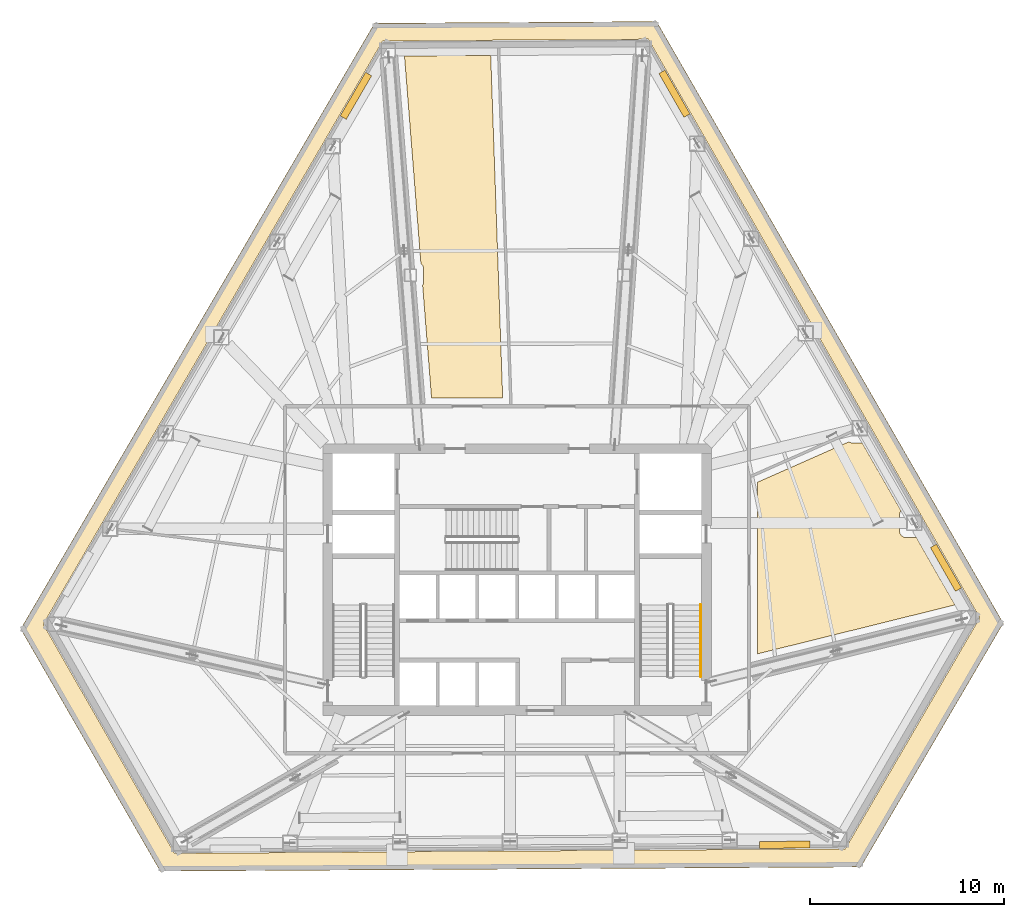
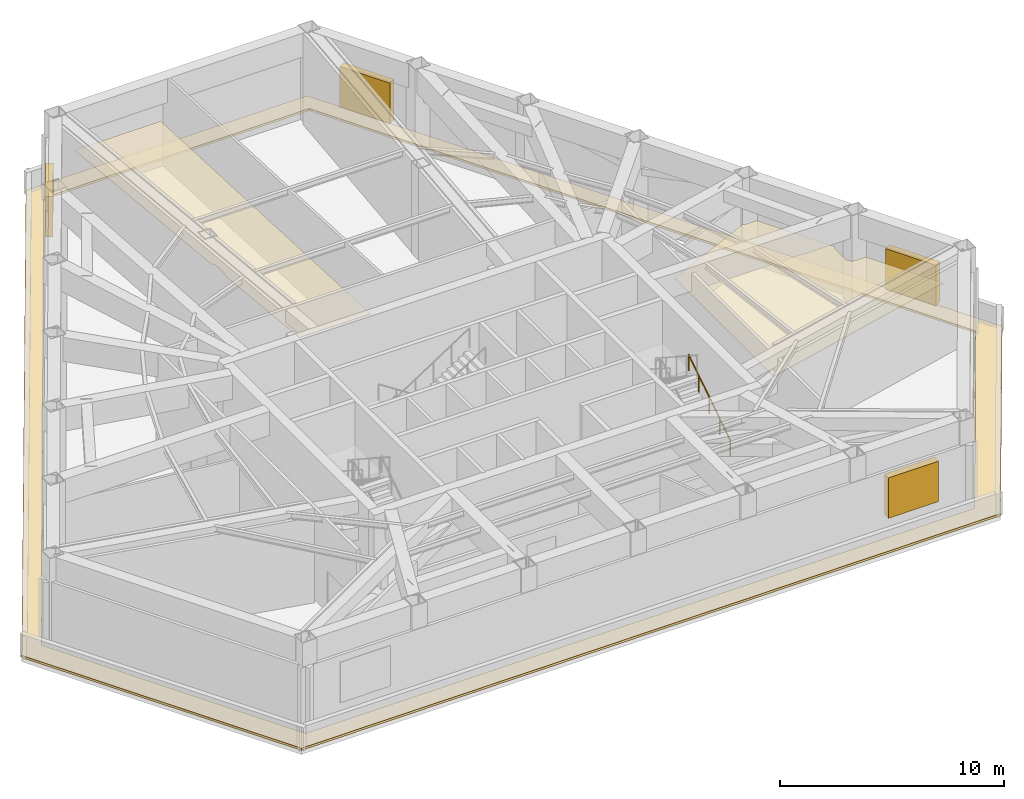
# One storey, part 12 of 12: 4 shading devices, 3 coverings, 1 railing.
"""IFC4 building model written with IfcOpenShell, lengths in metres."""

from ifc_helpers import new_model, si_unit, direction, frame, origin, origin_2d, place, context, subcontext, project, spatial, polyline, rectangle, circle, outline, extrude, material, layer, layer_set, type_object, element, save


model = new_model("IFC4")

# Units and contexts
model_context = context("Model", 3, precision=1e-05, world=origin(), true_north=direction((0.0, 1.0)))
body_context = subcontext(model_context, "Body", "Model", "MODEL_VIEW")
ifc_project = project(units=[si_unit("LENGTHUNIT", "METRE"), si_unit("AREAUNIT", "SQUARE_METRE"), si_unit("VOLUMEUNIT", "CUBIC_METRE"), si_unit("PLANEANGLEUNIT", "RADIAN"), si_unit("MASSUNIT", "GRAM", prefix="KILO")], contexts=[model_context])

# Site, building, storey
site_placement = place(None, origin())
site = spatial("IfcSite", under=ifc_project, at=site_placement, CompositionType="ELEMENT")
building_placement = place(site_placement, origin())
building = spatial("IfcBuilding", under=site, at=building_placement, Name="Kavelnor Concourse Tower", CompositionType="ELEMENT")
storey_placement = place(building_placement, frame((0.0, 0.0, 75.300048828125)))
storey = spatial("IfcBuildingStorey", under=building, at=storey_placement, Name="L19", CompositionType="ELEMENT", Elevation=75.300048828125)

# Coverings
ifc_material_1 = material(Name="Mineral fibre acoustic ceiling tile")
ifc_layer_1 = layer(ifc_material_1, 0.0400390625, Name="Mineral fibre acoustic ceiling tile")
ifc_layer_set_1 = layer_set([ifc_layer_1], Name="Mineral fibre acoustic ceiling tile")
covering_type_1 = type_object("IfcCoveringType", Name="COV-CEILING-ACOUSTIC", PredefinedType="CEILING", material=ifc_layer_set_1)
covering_1_placement = place(storey_placement, frame((0.0, 0.0, 2.75)))
element("IfcCovering", 1, at=covering_1_placement, inside=storey, type_object=covering_type_1, Name="L19 Suspended Acoustic Ceiling", PredefinedType="CEILING", context=body_context, shape_type="SweptSolid", body=[
    extrude(outline(polyline([(55.116943359375, 23.1982421875), (55.14892578125, 23.18310546875), (55.18212890625, 23.17138671875), (55.216552734375, 23.16259765625), (55.25146484375, 23.157470703125), (55.278564453125, 23.15625), (55.79931640625, 23.15625), (57.806884765625, 19.651123046875), (57.7880859375, 19.6259765625), (57.77001953125, 19.595703125), (57.7548828125, 19.563720703125), (57.742919921875, 19.5302734375), (57.734375, 19.49609375), (57.72900390625, 19.4609375), (57.727783203125, 19.43408203125), (57.727783203125, 18.617431640625), (57.72900390625, 18.59033203125), (57.734375, 18.555419921875), (57.742919921875, 18.52099609375), (57.7548828125, 18.48779296875), (57.77001953125, 18.455810546875), (57.7880859375, 18.425537109375), (57.80908203125, 18.397216796875), (57.8330078125, 18.370849609375), (57.859130859375, 18.34716796875), (57.8876953125, 18.325927734375), (57.91796875, 18.307861328125), (57.949951171875, 18.292724609375), (57.983154296875, 18.28076171875), (58.017578125, 18.272216796875), (58.052490234375, 18.26708984375), (58.07958984375, 18.265625), (58.600341796875, 18.265625), (60.58642578125, 14.798095703125), (50.402587890625, 12.272705078125), (50.402587890625, 21.127197265625), (55.10498046875, 23.205322265625), (55.116943359375, 23.1982421875)])), origin(), (0.0, 0.0, 1.0), 0.0400390625),
])
covering_2_placement = place(storey_placement, frame((0.0, 0.0, 2.75)))
element("IfcCovering", 2, at=covering_2_placement, inside=storey, type_object=covering_type_1, Name="L19 Suspended Acoustic Ceiling", PredefinedType="CEILING", context=body_context, shape_type="SweptSolid", body=[
    extrude(outline(polyline([(36.640380859375, 43.144287109375), (37.257080078125, 25.482421875), (33.5869140625, 25.482421875), (33.127197265625, 31.29248046875), (33.137939453125, 31.31005859375), (33.153076171875, 31.342041015625), (33.164794921875, 31.37548828125), (33.173583984375, 31.40966796875), (33.1787109375, 31.444580078125), (33.179931640625, 31.4716796875), (33.179931640625, 32.12841796875), (33.1787109375, 32.1552734375), (33.173583984375, 32.190185546875), (33.164794921875, 32.224609375), (33.153076171875, 32.2578125), (33.137939453125, 32.289794921875), (33.11962890625, 32.3203125), (33.0986328125, 32.3486328125), (33.07470703125, 32.374755859375), (33.048583984375, 32.398681640625), (33.0390625, 32.40576171875), (32.191650390625, 43.11376953125), (36.640380859375, 43.144287109375)])), origin(), (0.0, 0.0, 1.0), 0.0400390625),
])
ifc_material_2 = material(Name="Elastomeric waterproofing membrane and rigid insulation")
ifc_layer_2 = layer(ifc_material_2, 0.1201171875, Name="Elastomeric waterproofing membrane and rigid insulation")
ifc_layer_set_2 = layer_set([ifc_layer_2], Name="Elastomeric waterproofing membrane and rigid insulation")
covering_type_2 = type_object("IfcCoveringType", Name="COV-ROOF-MEMBRANE", PredefinedType="ROOFING", material=ifc_layer_set_2)
covering_3_placement = place(storey_placement, origin())
element("IfcCovering", 3, at=covering_3_placement, inside=storey, type_object=covering_type_2, Name="L19 Setback Waterproofing Roof Membrane 1", PredefinedType="ROOFING", context=body_context, shape_type="SweptSolid", body=[
    extrude(outline(polyline([(63.083740234375, 13.85595703125), (55.73388671875, 1.2744140625), (19.592529296875, 1.05908203125), (12.392822265625, 13.5537109375), (30.650146484375, 44.805908203125), (45.19970703125, 44.892822265625), (63.083740234375, 13.85595703125)]), holes=[polyline([(31.06640625, 43.885986328125), (13.560546875, 13.802490234375), (20.331787109375, 1.98046875), (54.932373046875, 2.2177734375), (61.8662109375, 14.13330078125), (44.77099609375, 43.97998046875), (31.06640625, 43.885986328125)])]), origin(), (0.0, 0.0, 1.0), 0.119873046875),
])

# Railing
ifc_material_3 = material(Name="Steel Grade 350", Category="steel")
railing_type = type_object("IfcRailingType", Name="RLG-HANDRAIL-900", PredefinedType="HANDRAIL", material=ifc_material_3)
railing_placement = place(storey_placement, frame((47.469970703125, 11.10009765625, 0.185546875)))
element("IfcRailing", 4, at=railing_placement, inside=storey, type_object=railing_type, Name="L19 ST2 stair handrail 1", PredefinedType="HANDRAIL", context=body_context, shape_type="SweptSolid", body=[
    extrude(circle(Radius=0.02392578125, at=origin_2d()), frame((0.0, 0.0, 0.8759765625), z_axis=(0.0, 0.837806046772, 0.545967973412), x_axis=(-1.0, 0.0, 0.0)), (0.0, 0.0, 1.0), 4.422119140625),
    extrude(circle(Radius=0.02099609375, at=origin_2d()), origin(), (0.0, 0.0, 1.0), 0.851806640625),
    extrude(circle(Radius=0.02099609375, at=origin_2d()), frame((0.0, 0.92626953125, 0.603515625)), (0.0, 0.0, 1.0), 0.851806640625),
    extrude(circle(Radius=0.02099609375, at=origin_2d()), frame((0.0, 1.8525390625, 1.20703125)), (0.0, 0.0, 1.0), 0.851806640625),
    extrude(circle(Radius=0.02099609375, at=origin_2d()), frame((0.0, 2.778564453125, 1.810791015625)), (0.0, 0.0, 1.0), 0.851806640625),
    extrude(circle(Radius=0.02099609375, at=origin_2d()), frame((0.0, 3.704833984375, 2.414306640625)), (0.0, 0.0, 1.0), 0.851806640625),
])

# Shading devices
ifc_material_4 = material(Name="Architectural bronze-anodised aluminium", Category="aluminium")
ifc_layer_3 = layer(ifc_material_4, 0.074951171875, Name="Architectural bronze-anodised aluminium")
ifc_layer_set_3 = layer_set([ifc_layer_3], Name="Architectural bronze-anodised aluminium")
shading_device_type = type_object("IfcShadingDeviceType", Name="SHD-PLANT-LOUVRE", PredefinedType="USERDEFINED", material=ifc_layer_set_3)
for number, where, z_axis, x_axis, name in (
    (5, (29.68701171875, 41.05810546875, 1.10009765625), (0.0, 0.0, 1.0), (0.50301994663, 0.864274801954, 0.0), "L19 Plant Acoustic Intake Louvre F0-B0"),
    (6, (51.810302734375, 2.426513671875, 1.10009765625), (0.0, 0.0, 1.0), (-0.999976833935, -0.006806731521, 0.0), "L19 Plant Acoustic Intake Louvre F1-B5"),
    (7, (60.12255859375, 16.714599609375, 1.10009765625), (0.0, 0.0, 1.0), (0.496973961028, -0.867765453369, 0.0), "L19 Plant Acoustic Intake Louvre F2-B0"),
    (8, (46.1171875, 41.1669921875, 1.10009765625), (0.0, 0.0, 1.0), (0.496973961028, -0.867765453369, 0.0), "L19 Plant Acoustic Intake Louvre F2-B5"),
):
    element("IfcShadingDevice", number, at=place(storey_placement, frame(where, z_axis=z_axis, x_axis=x_axis)), inside=storey, type_object=shading_device_type, Name=name, ObjectType="LOUVRE", PredefinedType="USERDEFINED", context=body_context, shape_type="SweptSolid", body=[
        extrude(rectangle(XDim=2.60009765625, YDim=0.360107421875, at=origin_2d()), origin(), (0.0, 0.0, 1.0), 2.199951171875),
    ])

save(model, "model.ifc")
